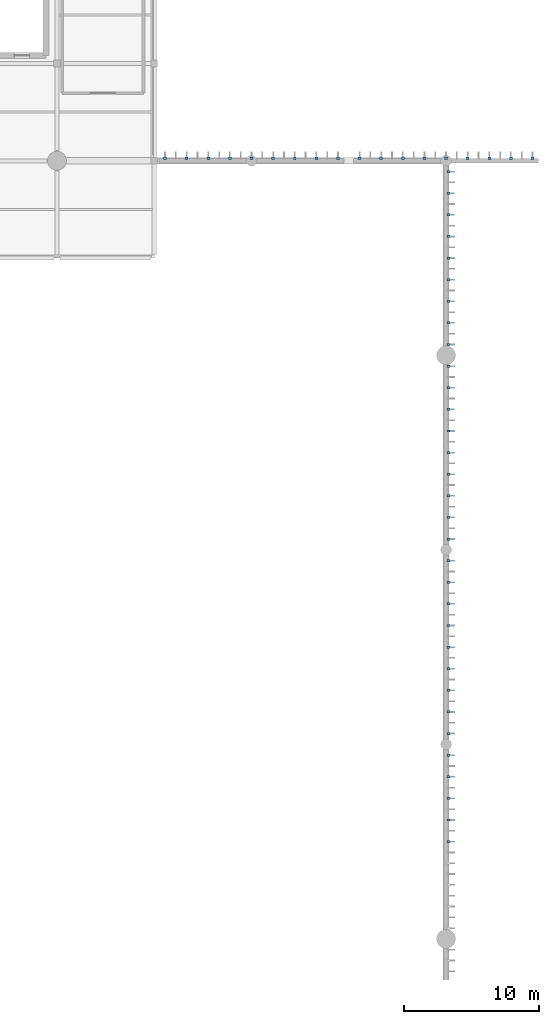
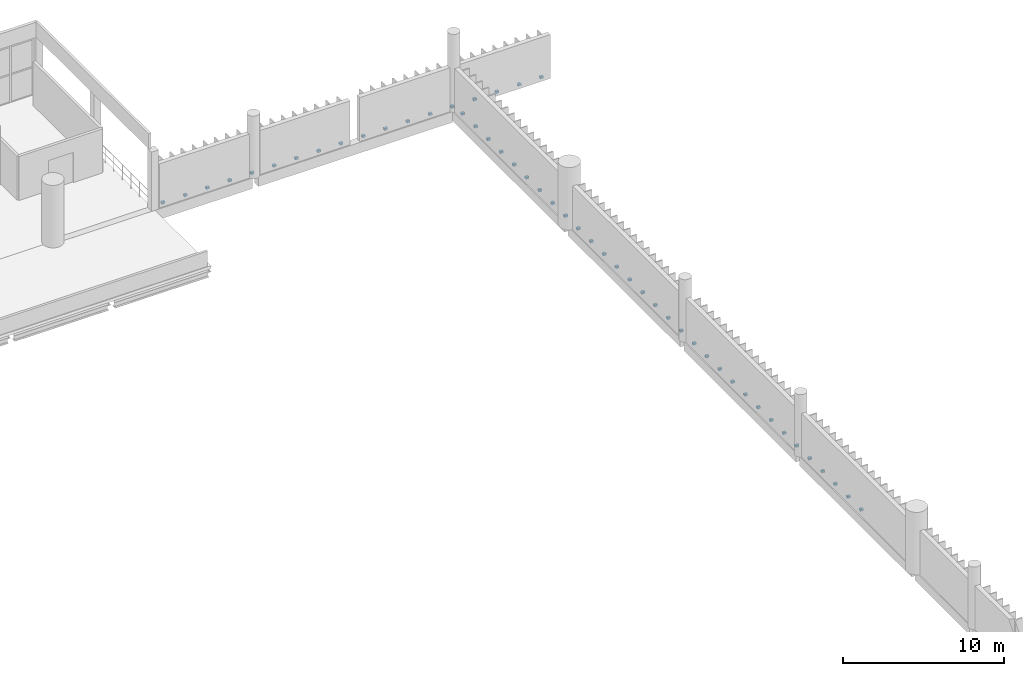
# One storey, part 56 of 64: 50 discrete accessories.
"""IFC4 building model written with IfcOpenShell, lengths in metres."""

from ifc_helpers import new_model, si_unit, direction, frame, origin, origin_2d, place, context, subcontext, project, spatial, rectangle, extrude, material, type_object, element, save


model = new_model("IFC4")

# Units and contexts
model_context = context("Model", 3, precision=1e-05, world=origin(), true_north=direction((0.0, 1.0)))
body_context = subcontext(model_context, "Body", "Model", "MODEL_VIEW")
ifc_project = project(units=[si_unit("LENGTHUNIT", "METRE"), si_unit("AREAUNIT", "SQUARE_METRE"), si_unit("VOLUMEUNIT", "CUBIC_METRE"), si_unit("PLANEANGLEUNIT", "RADIAN"), si_unit("MASSUNIT", "GRAM", prefix="KILO")], contexts=[model_context])

# Site, building, storey
site_placement = place(None, origin())
site = spatial("IfcSite", under=ifc_project, at=site_placement, CompositionType="ELEMENT")
building_placement = place(site_placement, origin())
building = spatial("IfcBuilding", under=site, at=building_placement, Name="Qandorah Velis Arena", CompositionType="ELEMENT")
storey_placement = place(building_placement, frame((0.0, 0.0, 23.0)))
storey = spatial("IfcBuildingStorey", under=building, at=storey_placement, Name="L05", CompositionType="ELEMENT", Elevation=23.0)

# Discrete accessories
ifc_material = material(Name="Stainless steel 316", Category="steel")
discrete_accessory_type = type_object("IfcDiscreteAccessoryType", Name="ARC-ACC-BRK", PredefinedType="BRACKET", material=ifc_material)
for number, where, z_axis, x_axis, name in (
    (1, (115.3798828125, 64.800048828125, -0.009765625), (0.0, 0.0, 1.0), (1.0, 0.0, 0.0), "Solar fin mounting bracket BRK-0040"),
    (2, (115.3798828125, 66.39990234375, -0.009765625), (0.0, 0.0, 1.0), (1.0, 0.0, 0.0), "Solar fin mounting bracket BRK-0041"),
    (3, (115.3798828125, 68.0, -0.009765625), (0.0, 0.0, 1.0), (1.0, 0.0, 0.0), "Solar fin mounting bracket BRK-0042"),
    (4, (115.3798828125, 69.60009765625, -0.009765625), (0.0, 0.0, 1.0), (1.0, 0.0, 0.0), "Solar fin mounting bracket BRK-0043"),
    (5, (115.3798828125, 71.199951171875, -0.009765625), (0.0, 0.0, 1.0), (1.0, 0.0, 0.0), "Solar fin mounting bracket BRK-0044"),
    (6, (115.3798828125, 72.800048828125, -0.009765625), (0.0, 0.0, 1.0), (1.0, 0.0, 0.0), "Solar fin mounting bracket BRK-0054"),
    (7, (115.3798828125, 74.39990234375, -0.009765625), (0.0, 0.0, 1.0), (1.0, 0.0, 0.0), "Solar fin mounting bracket BRK-0055"),
    (8, (115.3798828125, 76.0, -0.009765625), (0.0, 0.0, 1.0), (1.0, 0.0, 0.0), "Solar fin mounting bracket BRK-0056"),
    (9, (115.3798828125, 77.60009765625, -0.009765625), (0.0, 0.0, 1.0), (1.0, 0.0, 0.0), "Solar fin mounting bracket BRK-0057"),
    (10, (115.3798828125, 79.199951171875, -0.009765625), (0.0, 0.0, 1.0), (1.0, 0.0, 0.0), "Solar fin mounting bracket BRK-0058"),
    (11, (115.3798828125, 80.800048828125, -0.009765625), (0.0, 0.0, 1.0), (1.0, 0.0, 0.0), "Solar fin mounting bracket BRK-0059"),
    (12, (115.3798828125, 82.39990234375, -0.009765625), (0.0, 0.0, 1.0), (1.0, 0.0, 0.0), "Solar fin mounting bracket BRK-0060"),
    (13, (115.3798828125, 84.0, -0.009765625), (0.0, 0.0, 1.0), (1.0, 0.0, 0.0), "Solar fin mounting bracket BRK-0061"),
    (14, (115.3798828125, 85.60009765625, -0.009765625), (0.0, 0.0, 1.0), (1.0, 0.0, 0.0), "Solar fin mounting bracket BRK-0062"),
    (15, (115.3798828125, 87.199951171875, -0.009765625), (0.0, 0.0, 1.0), (1.0, 0.0, 0.0), "Solar fin mounting bracket BRK-0072"),
    (16, (115.3798828125, 88.800048828125, -0.009765625), (0.0, 0.0, 1.0), (1.0, 0.0, 0.0), "Solar fin mounting bracket BRK-0073"),
    (17, (115.3798828125, 90.39990234375, -0.009765625), (0.0, 0.0, 1.0), (1.0, 0.0, 0.0), "Solar fin mounting bracket BRK-0074"),
    (18, (115.3798828125, 92.0, -0.009765625), (0.0, 0.0, 1.0), (1.0, 0.0, 0.0), "Solar fin mounting bracket BRK-0075"),
    (19, (115.3798828125, 93.60009765625, -0.009765625), (0.0, 0.0, 1.0), (1.0, 0.0, 0.0), "Solar fin mounting bracket BRK-0076"),
    (20, (115.3798828125, 95.199951171875, -0.009765625), (0.0, 0.0, 1.0), (1.0, 0.0, 0.0), "Solar fin mounting bracket BRK-0077"),
    (21, (115.3798828125, 96.800048828125, -0.009765625), (0.0, 0.0, 1.0), (1.0, 0.0, 0.0), "Solar fin mounting bracket BRK-0078"),
    (22, (115.3798828125, 98.39990234375, -0.009765625), (0.0, 0.0, 1.0), (1.0, 0.0, 0.0), "Solar fin mounting bracket BRK-0079"),
    (23, (115.3798828125, 100.0, -0.009765625), (0.0, 0.0, 1.0), (1.0, 0.0, 0.0), "Solar fin mounting bracket BRK-0080"),
    (24, (115.3798828125, 101.60009765625, -0.009765625), (0.0, 0.0, 1.0), (1.0, 0.0, 0.0), "Solar fin mounting bracket BRK-0090"),
    (25, (115.3798828125, 103.199951171875, -0.009765625), (0.0, 0.0, 1.0), (1.0, 0.0, 0.0), "Solar fin mounting bracket BRK-0091"),
    (26, (115.3798828125, 104.800048828125, -0.009765625), (0.0, 0.0, 1.0), (1.0, 0.0, 0.0), "Solar fin mounting bracket BRK-0092"),
    (27, (115.3798828125, 106.39990234375, -0.009765625), (0.0, 0.0, 1.0), (1.0, 0.0, 0.0), "Solar fin mounting bracket BRK-0093"),
    (28, (115.3798828125, 108.0, -0.009765625), (0.0, 0.0, 1.0), (1.0, 0.0, 0.0), "Solar fin mounting bracket BRK-0094"),
    (29, (115.3798828125, 109.60009765625, -0.009765625), (0.0, 0.0, 1.0), (1.0, 0.0, 0.0), "Solar fin mounting bracket BRK-0095"),
    (30, (115.3798828125, 111.199951171875, -0.009765625), (0.0, 0.0, 1.0), (1.0, 0.0, 0.0), "Solar fin mounting bracket BRK-0096"),
    (31, (115.3798828125, 112.800048828125, -0.009765625), (0.0, 0.0, 1.0), (1.0, 0.0, 0.0), "Solar fin mounting bracket BRK-0097"),
    (32, (115.3798828125, 114.39990234375, -0.009765625), (0.0, 0.0, 1.0), (1.0, 0.0, 0.0), "Solar fin mounting bracket BRK-0098"),
    (33, (94.39990234375, 115.3798828125, -0.009765625), (0.0, 0.0, 1.0), (1.0, 0.0, 0.0), "Solar fin mounting bracket BRK-0144"),
    (34, (96.0, 115.3798828125, -0.009765625), (0.0, 0.0, 1.0), (1.0, 0.0, 0.0), "Solar fin mounting bracket BRK-0145"),
    (35, (97.60009765625, 115.3798828125, -0.009765625), (0.0, 0.0, 1.0), (1.0, 0.0, 0.0), "Solar fin mounting bracket BRK-0146"),
    (36, (99.199951171875, 115.3798828125, -0.009765625), (0.0, 0.0, 1.0), (1.0, 0.0, 0.0), "Solar fin mounting bracket BRK-0147"),
    (37, (100.800048828125, 115.3798828125, -0.009765625), (0.0, 0.0, 1.0), (1.0, 0.0, 0.0), "Solar fin mounting bracket BRK-0148"),
    (38, (102.39990234375, 115.3798828125, -0.009765625), (0.0, 0.0, 1.0), (1.0, 0.0, 0.0), "Solar fin mounting bracket BRK-0149"),
    (39, (104.0, 115.3798828125, -0.009765625), (0.0, 0.0, 1.0), (1.0, 0.0, 0.0), "Solar fin mounting bracket BRK-0150"),
    (40, (105.60009765625, 115.3798828125, -0.009765625), (0.0, 0.0, 1.0), (1.0, 0.0, 0.0), "Solar fin mounting bracket BRK-0151"),
    (41, (107.199951171875, 115.3798828125, -0.009765625), (0.0, 0.0, 1.0), (1.0, 0.0, 0.0), "Solar fin mounting bracket BRK-0152"),
    (42, (108.800048828125, 115.3798828125, -0.009765625), (0.0, 0.0, 1.0), (1.0, 0.0, 0.0), "Solar fin mounting bracket BRK-0162"),
    (43, (110.39990234375, 115.3798828125, -0.009765625), (0.0, 0.0, 1.0), (1.0, 0.0, 0.0), "Solar fin mounting bracket BRK-0163"),
    (44, (112.0, 115.3798828125, -0.009765625), (0.0, 0.0, 1.0), (1.0, 0.0, 0.0), "Solar fin mounting bracket BRK-0164"),
    (45, (113.60009765625, 115.3798828125, -0.009765625), (0.0, 0.0, 1.0), (1.0, 0.0, 0.0), "Solar fin mounting bracket BRK-0165"),
    (46, (115.199951171875, 115.3798828125, -0.009765625), (0.0, 0.0, 1.0), (1.0, 0.0, 0.0), "Solar fin mounting bracket BRK-0166"),
    (47, (116.800048828125, 115.3798828125, -0.009765625), (0.0, 0.0, 1.0), (1.0, 0.0, 0.0), "Solar fin mounting bracket BRK-0167"),
    (48, (118.39990234375, 115.3798828125, -0.009765625), (0.0, 0.0, 1.0), (1.0, 0.0, 0.0), "Solar fin mounting bracket BRK-0168"),
    (49, (120.0, 115.3798828125, -0.009765625), (0.0, 0.0, 1.0), (1.0, 0.0, 0.0), "Solar fin mounting bracket BRK-0169"),
    (50, (121.60009765625, 115.3798828125, -0.009765625), (0.0, 0.0, 1.0), (1.0, 0.0, 0.0), "Solar fin mounting bracket BRK-0170"),
):
    element("IfcDiscreteAccessory", number, at=place(storey_placement, frame(where, z_axis=z_axis, x_axis=x_axis)), inside=storey, type_object=discrete_accessory_type, Name=name, PredefinedType="BRACKET", context=body_context, shape_type="SweptSolid", body=[
        extrude(rectangle(XDim=0.219970703125, YDim=0.179931640625, at=origin_2d()), origin(), (0.0, 0.0, 1.0), 0.159912109375),
    ])

save(model, "model.ifc")
